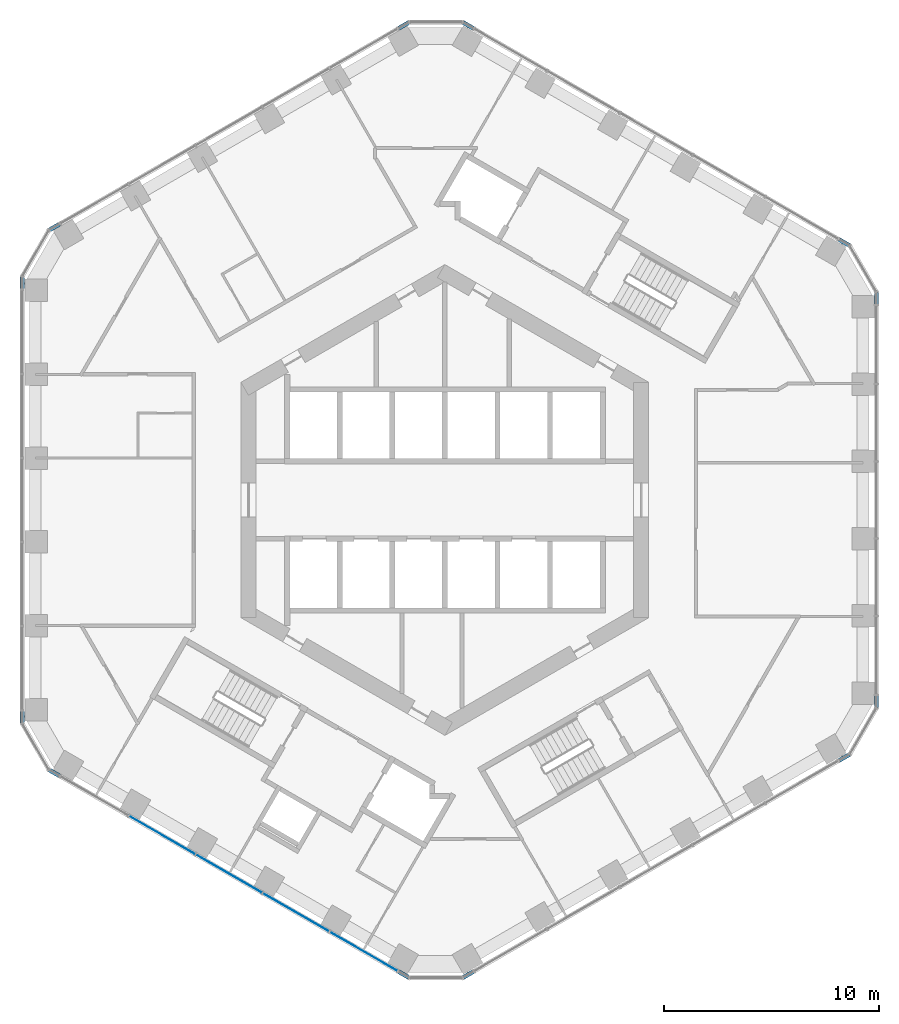
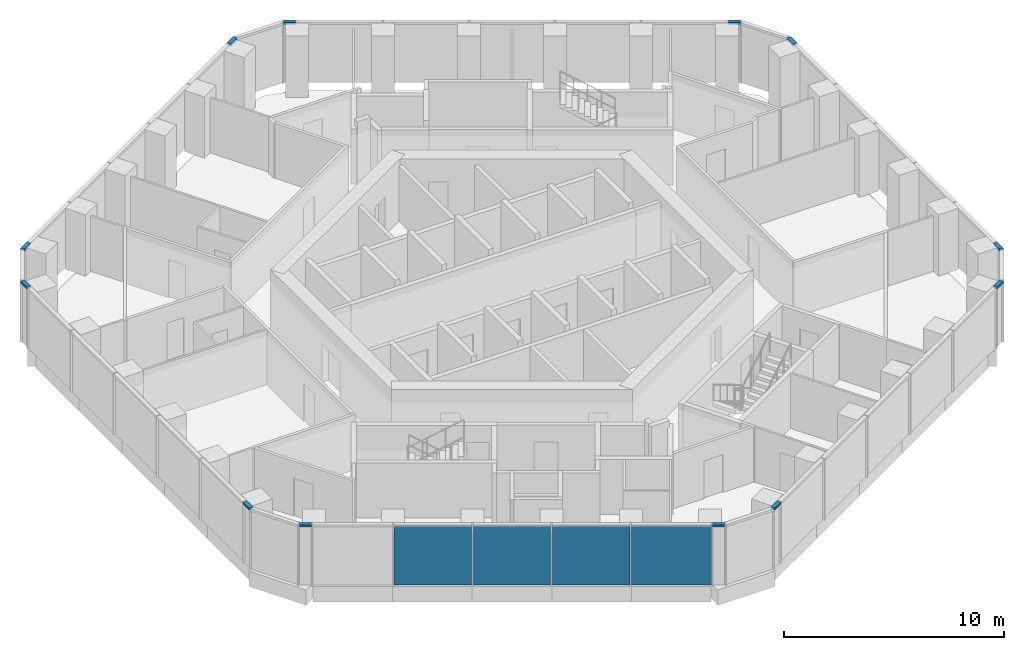
# One storey, part 8 of 19: 12 members, 4 plates, 7 elements without a shape of their own.
"""IFC4 building model written with IfcOpenShell, lengths in metres."""

from ifc_helpers import new_model, si_unit, direction, frame, origin, origin_2d, place, context, subcontext, project, spatial, rectangle, extrude, material, layer, layer_set, material_profile, profile_set, type_object, element, aggregate, save


model = new_model("IFC4")

# Units and contexts
model_context = context("Model", 3, precision=1e-05, world=origin(), true_north=direction((0.0, 1.0)))
body_context = subcontext(model_context, "Body", "Model", "MODEL_VIEW")
ifc_project = project(units=[si_unit("LENGTHUNIT", "METRE"), si_unit("AREAUNIT", "SQUARE_METRE"), si_unit("VOLUMEUNIT", "CUBIC_METRE"), si_unit("PLANEANGLEUNIT", "RADIAN"), si_unit("MASSUNIT", "GRAM", prefix="KILO")], contexts=[model_context])

# Site, building, storey
site_placement = place(None, origin())
site = spatial("IfcSite", under=ifc_project, at=site_placement, CompositionType="ELEMENT")
building_placement = place(site_placement, origin())
building = spatial("IfcBuilding", under=site, at=building_placement, Name="Ayvan Gate Tower", CompositionType="ELEMENT")
storey_placement = place(building_placement, frame((0.0, 0.0, 106.89990234375)))
storey = spatial("IfcBuildingStorey", under=building, at=storey_placement, Name="L28", CompositionType="ELEMENT", Elevation=106.89990234375)

# Curtain wall, members
ifc_material_1 = material(Name="Bronze anodised aluminium", Category="aluminium")
ifc_layer_1 = layer(ifc_material_1, 0.199951171875)
ifc_layer_set_1 = layer_set([ifc_layer_1], Name="Bronze anodised aluminium")
curtain_wall_type_1 = type_object("IfcCurtainWallType", Name="Stick curtain wall CW-6", PredefinedType="NOTDEFINED", material=ifc_layer_set_1)
curtain_wall_1_placement = place(storey_placement, origin())
curtain_wall_1 = element("IfcCurtainWall", 1, at=curtain_wall_1_placement, inside=storey, type_object=curtain_wall_type_1, Name="Stick curtain wall CW-6 L28", PredefinedType="NOTDEFINED")
ifc_material_profile = material_profile(ifc_material_1, rectangle(XDim=0.199951171875, YDim=0.1201171875, at=origin_2d()), Name="Stick curtain wall CW-6 transom 200 x 120")
ifc_profile_set = profile_set([ifc_material_profile], Name="Bronze anodised aluminium")
member_type = type_object("IfcMemberType", Name="Stick curtain wall CW-6 transom 200 x 120", PredefinedType="USERDEFINED", material=ifc_profile_set)
member_1_placement = place(storey_placement, frame((-17.953857421875, 12.85595703125, 3.340087890625), z_axis=(-0.866104278045, -0.499863360881, 0.0), x_axis=(0.499863360881, -0.866104278045, 0.0)))
member_1 = element("IfcMember", 2, at=member_1_placement, type_object=member_type, Name="CW-6 transom 1", ObjectType="TRANSOM", PredefinedType="USERDEFINED", context=body_context, shape_type="SweptSolid", body=[
    extrude(rectangle(XDim=0.199951171875, YDim=0.1201171875, at=origin_2d()), origin(), (0.0, 0.0, 1.0), 0.550048828125),
])
member_2_placement = place(storey_placement, frame((-19.695068359375, 10.39013671875, 3.340087890625), z_axis=(0.0, -1.0, 0.0), x_axis=(1.0, 0.0, 0.0)))
member_2 = element("IfcMember", 3, at=member_2_placement, type_object=member_type, Name="CW-6 transom 3", ObjectType="TRANSOM", PredefinedType="USERDEFINED", context=body_context, shape_type="SweptSolid", body=[
    extrude(rectangle(XDim=0.199951171875, YDim=0.1201171875, at=origin_2d()), origin(), (0.0, 0.0, 1.0), 0.550048828125),
])
aggregate(curtain_wall_1, [member_1, member_2])

curtain_wall_2_placement = place(storey_placement, origin())
curtain_wall_2 = element("IfcCurtainWall", 4, at=curtain_wall_2_placement, inside=storey, type_object=curtain_wall_type_1, Name="Stick curtain wall CW-6 L28", PredefinedType="NOTDEFINED")
member_3_placement = place(storey_placement, frame((-19.695068359375, -9.840087890625, 3.340087890625), z_axis=(0.0, -1.0, 0.0), x_axis=(1.0, 0.0, 0.0)))
member_3 = element("IfcMember", 5, at=member_3_placement, type_object=member_type, Name="CW-6 transom 1", ObjectType="TRANSOM", PredefinedType="USERDEFINED", context=body_context, shape_type="SweptSolid", body=[
    extrude(rectangle(XDim=0.199951171875, YDim=0.1201171875, at=origin_2d()), origin(), (0.0, 0.0, 1.0), 0.550048828125),
])
member_4_placement = place(storey_placement, frame((-18.43017578125, -12.5810546875, 3.340087890625), z_axis=(0.866104278045, -0.499863360881, 0.0), x_axis=(0.499863360881, 0.866104278045, 0.0)))
member_4 = element("IfcMember", 6, at=member_4_placement, type_object=member_type, Name="CW-6 transom 3", ObjectType="TRANSOM", PredefinedType="USERDEFINED", context=body_context, shape_type="SweptSolid", body=[
    extrude(rectangle(XDim=0.199951171875, YDim=0.1201171875, at=origin_2d()), origin(), (0.0, 0.0, 1.0), 0.550048828125),
])
aggregate(curtain_wall_2, [member_3, member_4])

curtain_wall_3_placement = place(storey_placement, origin())
curtain_wall_3 = element("IfcCurtainWall", 7, at=curtain_wall_3_placement, inside=storey, type_object=curtain_wall_type_1, Name="Stick curtain wall CW-6 L28", PredefinedType="NOTDEFINED")
member_5_placement = place(storey_placement, frame((-2.15673828125, -21.9765625, 3.340087890625), z_axis=(0.866104278045, -0.499863360881, 0.0), x_axis=(0.499863360881, 0.866104278045, 0.0)))
member_5 = element("IfcMember", 8, at=member_5_placement, type_object=member_type, Name="CW-6 transom 1", ObjectType="TRANSOM", PredefinedType="USERDEFINED", context=body_context, shape_type="SweptSolid", body=[
    extrude(rectangle(XDim=0.199951171875, YDim=0.1201171875, at=origin_2d()), origin(), (0.0, 0.0, 1.0), 0.550048828125),
])
member_6_placement = place(storey_placement, frame((0.849609375, -22.25146484375, 3.340087890625), z_axis=(0.866104278045, 0.499863360881, 0.0), x_axis=(-0.499863360881, 0.866104278045, 0.0)))
member_6 = element("IfcMember", 9, at=member_6_placement, type_object=member_type, Name="CW-6 transom 3", ObjectType="TRANSOM", PredefinedType="USERDEFINED", context=body_context, shape_type="SweptSolid", body=[
    extrude(rectangle(XDim=0.199951171875, YDim=0.1201171875, at=origin_2d()), origin(), (0.0, 0.0, 1.0), 0.550048828125),
])
aggregate(curtain_wall_3, [member_5, member_6])

curtain_wall_4_placement = place(storey_placement, origin())
curtain_wall_4 = element("IfcCurtainWall", 10, at=curtain_wall_4_placement, inside=storey, type_object=curtain_wall_type_1, Name="Stick curtain wall CW-6 L28", PredefinedType="NOTDEFINED")
member_7_placement = place(storey_placement, frame((18.369384765625, -12.136474609375, 3.340087890625), z_axis=(0.866104278045, 0.499863360881, 0.0), x_axis=(-0.499863360881, 0.866104278045, 0.0)))
member_7 = element("IfcMember", 11, at=member_7_placement, type_object=member_type, Name="CW-6 transom 1", ObjectType="TRANSOM", PredefinedType="USERDEFINED", context=body_context, shape_type="SweptSolid", body=[
    extrude(rectangle(XDim=0.199951171875, YDim=0.1201171875, at=origin_2d()), origin(), (0.0, 0.0, 1.0), 0.550048828125),
])
member_8_placement = place(storey_placement, frame((20.110595703125, -9.670654296875, 3.340087890625), z_axis=(0.0, 1.0, 0.0), x_axis=(-1.0, 0.0, 0.0)))
member_8 = element("IfcMember", 12, at=member_8_placement, type_object=member_type, Name="CW-6 transom 3", ObjectType="TRANSOM", PredefinedType="USERDEFINED", context=body_context, shape_type="SweptSolid", body=[
    extrude(rectangle(XDim=0.199951171875, YDim=0.1201171875, at=origin_2d()), origin(), (0.0, 0.0, 1.0), 0.550048828125),
])
aggregate(curtain_wall_4, [member_7, member_8])

curtain_wall_5_placement = place(storey_placement, origin())
curtain_wall_5 = element("IfcCurtainWall", 13, at=curtain_wall_5_placement, inside=storey, type_object=curtain_wall_type_1, Name="Stick curtain wall CW-6 L28", PredefinedType="NOTDEFINED")
member_9_placement = place(storey_placement, frame((20.110595703125, 9.12060546875, 3.340087890625), z_axis=(0.0, 1.0, 0.0), x_axis=(-1.0, 0.0, 0.0)))
member_9 = element("IfcMember", 14, at=member_9_placement, type_object=member_type, Name="CW-6 transom 1", ObjectType="TRANSOM", PredefinedType="USERDEFINED", context=body_context, shape_type="SweptSolid", body=[
    extrude(rectangle(XDim=0.199951171875, YDim=0.1201171875, at=origin_2d()), origin(), (0.0, 0.0, 1.0), 0.550048828125),
])
member_10_placement = place(storey_placement, frame((18.845703125, 11.861572265625, 3.340087890625), z_axis=(-0.866104278045, 0.499863360881, 0.0), x_axis=(-0.499863360881, -0.866104278045, 0.0)))
member_10 = element("IfcMember", 15, at=member_10_placement, type_object=member_type, Name="CW-6 transom 3", ObjectType="TRANSOM", PredefinedType="USERDEFINED", context=body_context, shape_type="SweptSolid", body=[
    extrude(rectangle(XDim=0.199951171875, YDim=0.1201171875, at=origin_2d()), origin(), (0.0, 0.0, 1.0), 0.550048828125),
])
aggregate(curtain_wall_5, [member_9, member_10])

curtain_wall_6_placement = place(storey_placement, origin())
curtain_wall_6 = element("IfcCurtainWall", 16, at=curtain_wall_6_placement, inside=storey, type_object=curtain_wall_type_1, Name="Stick curtain wall CW-6 L28", PredefinedType="NOTDEFINED")
member_11_placement = place(storey_placement, frame((1.325927734375, 21.9765625, 3.340087890625), z_axis=(-0.866104278045, 0.499863360881, 0.0), x_axis=(-0.499863360881, -0.866104278045, 0.0)))
member_11 = element("IfcMember", 17, at=member_11_placement, type_object=member_type, Name="CW-6 transom 1", ObjectType="TRANSOM", PredefinedType="USERDEFINED", context=body_context, shape_type="SweptSolid", body=[
    extrude(rectangle(XDim=0.199951171875, YDim=0.1201171875, at=origin_2d()), origin(), (0.0, 0.0, 1.0), 0.550048828125),
])
member_12_placement = place(storey_placement, frame((-1.680419921875, 22.25146484375, 3.340087890625), z_axis=(-0.866104278045, -0.499863360881, 0.0), x_axis=(0.499863360881, -0.866104278045, 0.0)))
member_12 = element("IfcMember", 18, at=member_12_placement, type_object=member_type, Name="CW-6 transom 3", ObjectType="TRANSOM", PredefinedType="USERDEFINED", context=body_context, shape_type="SweptSolid", body=[
    extrude(rectangle(XDim=0.199951171875, YDim=0.1201171875, at=origin_2d()), origin(), (0.0, 0.0, 1.0), 0.550048828125),
])
aggregate(curtain_wall_6, [member_11, member_12])

# Curtain wall, plates
ifc_layer_2 = layer(ifc_material_1, 0.199951171875)
ifc_layer_set_2 = layer_set([ifc_layer_2], Name="Bronze anodised aluminium")
curtain_wall_type_2 = type_object("IfcCurtainWallType", Name="Stick curtain wall CW-1", PredefinedType="NOTDEFINED", material=ifc_layer_set_2)
curtain_wall_7_placement = place(storey_placement, origin())
curtain_wall_7 = element("IfcCurtainWall", 19, at=curtain_wall_7_placement, inside=storey, type_object=curtain_wall_type_2, Name="Stick curtain wall CW-1 L28", PredefinedType="NOTDEFINED")
ifc_material_2 = material(Name="Clear low-iron laminated glass", Category="glass")
ifc_layer_3 = layer(ifc_material_2, 0.028076171875)
ifc_layer_set_3 = layer_set([ifc_layer_3], Name="Clear low-iron laminated glass")
plate_type = type_object("IfcPlateType", Name="Stick curtain wall CW-1 glass panel", PredefinedType="CURTAIN_PANEL", material=ifc_layer_set_3)
plate_1_placement = place(storey_placement, frame((-13.17431640625, -15.615478515625, 0.0), z_axis=(0.0, 0.0, 1.0), x_axis=(0.866025403784, -0.5, 0.0)))
plate_1 = element("IfcPlate", 20, at=plate_1_placement, type_object=plate_type, Name="CW-1 glass panel 2", PredefinedType="CURTAIN_PANEL", context=body_context, shape_type="SweptSolid", body=[
    extrude(rectangle(XDim=3.5419921875, YDim=0.028076171875, at=origin_2d()), origin(), (0.0, 0.0, 1.0), 3.280029296875),
])
plate_2_placement = place(storey_placement, frame((-10.055419921875, -17.416259765625, 0.0), z_axis=(0.0, 0.0, 1.0), x_axis=(0.866025403784, -0.5, 0.0)))
plate_2 = element("IfcPlate", 21, at=plate_2_placement, type_object=plate_type, Name="CW-1 glass panel 3", PredefinedType="CURTAIN_PANEL", context=body_context, shape_type="SweptSolid", body=[
    extrude(rectangle(XDim=3.541015625, YDim=0.028076171875, at=origin_2d()), origin(), (0.0, 0.0, 1.0), 3.280029296875),
])
plate_3_placement = place(storey_placement, frame((-6.936279296875, -19.217041015625, 0.0), z_axis=(0.0, 0.0, 1.0), x_axis=(0.866025403784, -0.5, 0.0)))
plate_3 = element("IfcPlate", 22, at=plate_3_placement, type_object=plate_type, Name="CW-1 glass panel 4", PredefinedType="CURTAIN_PANEL", context=body_context, shape_type="SweptSolid", body=[
    extrude(rectangle(XDim=3.5419921875, YDim=0.028076171875, at=origin_2d()), origin(), (0.0, 0.0, 1.0), 3.280029296875),
])
plate_4_placement = place(storey_placement, frame((-3.7666015625, -21.047119140625, 0.0), z_axis=(0.0, 0.0, 1.0), x_axis=(0.866025403784, -0.5, 0.0)))
plate_4 = element("IfcPlate", 23, at=plate_4_placement, type_object=plate_type, Name="CW-1 glass panel 5", PredefinedType="CURTAIN_PANEL", context=body_context, shape_type="SweptSolid", body=[
    extrude(rectangle(XDim=3.657958984375, YDim=0.028076171875, at=origin_2d()), origin(), (0.0, 0.0, 1.0), 3.280029296875),
])
aggregate(curtain_wall_7, [plate_1, plate_2, plate_3, plate_4])

save(model, "model.ifc")
